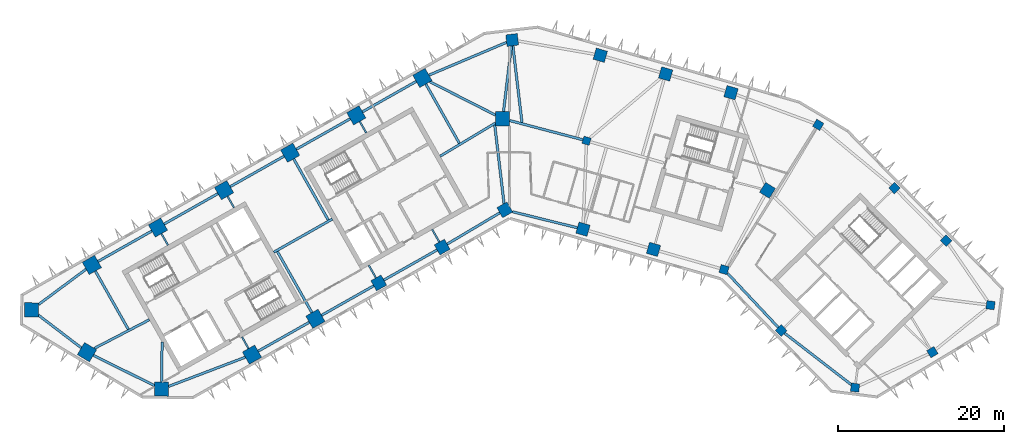
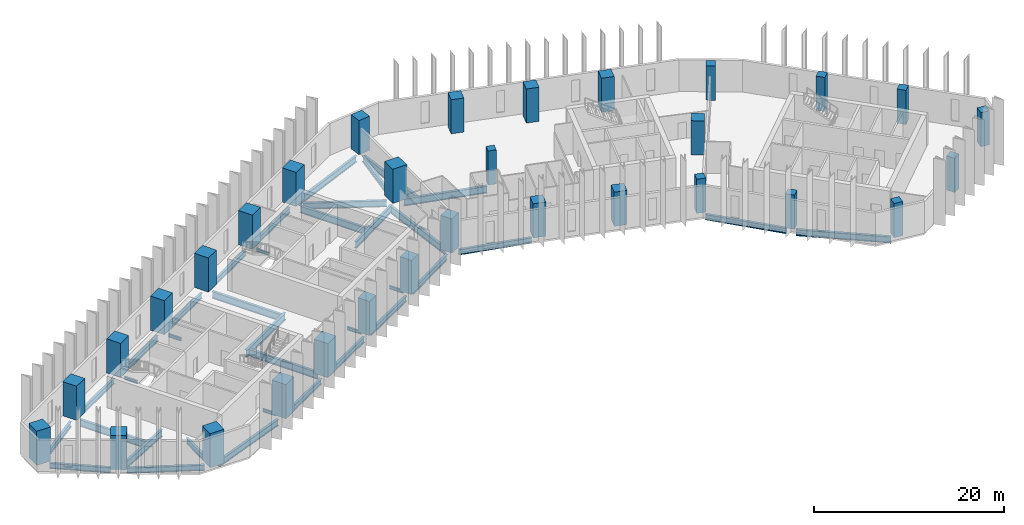
# One storey, part 1 of 11: 36 beams, 31 columns.
"""IFC4 building model written with IfcOpenShell, lengths in metres."""

import ifcopenshell
import ifcopenshell.guid

model = None  # the IFC model being written
_history = None  # IfcOwnerHistory: only IFC2X3 demands one
_inside = {}  # id of a spatial element -> (the spatial element, [elements in it])
_under = {}  # id of a project, library or spatial element -> (it, [spatial elements below it])
_declared = {}  # id of a project -> (the project, [libraries it declares])
_typed = {}  # id of a type object -> (the type object, [elements of that type])
_made_of = {}  # id of a material, layer set ... -> (it, [elements and type objects made of it])


def new_model(schema):
    """Start an empty IFC model of exactly this schema.

    Asked for "IFC4X3", IfcOpenShell would pick the latest addendum, in which some entities
    have other attributes; the version numbers below select the first issue.
    IFC2X3 requires an IfcOwnerHistory on every rooted entity: one is made here for all.
    """
    global model, _history
    if schema == "IFC4X3":
        model = ifcopenshell.file(schema_version=(4, 3, 0, 0))
    else:
        model = ifcopenshell.file(schema=schema)
    _inside.clear()
    _under.clear()
    _declared.clear()
    _typed.clear()
    _made_of.clear()
    _history = None
    if model.schema == "IFC2X3":
        org = make("IfcOrganization", Name="unknown")
        user = make(
            "IfcPersonAndOrganization",
            ThePerson=make("IfcPerson", FamilyName="unknown"),
            TheOrganization=org,
        )
        app = make(
            "IfcApplication",
            ApplicationDeveloper=org,
            Version="unknown",
            ApplicationFullName="unknown",
            ApplicationIdentifier="unknown",
        )
        _history = make(
            "IfcOwnerHistory",
            OwningUser=user,
            OwningApplication=app,
            ChangeAction="ADDED",
            CreationDate=0,
        )
    return model


def make(cls, **values):
    """One entity of the class cls with the attributes given. An attribute that is None is left unset."""
    return model.create_entity(
        cls, **{name: value for name, value in values.items() if value is not None}
    )


def rooted(cls, **values):
    """An entity with a GlobalId (a new one), such as an element, a storey or a relation."""
    return make(cls, GlobalId=ifcopenshell.guid.new(), OwnerHistory=_history, **values)


def si_unit(unit_type, name, prefix=None):
    """IfcSIUnit, for example si_unit("LENGTHUNIT", "METRE", prefix="MILLI")."""
    return make("IfcSIUnit", UnitType=unit_type, Prefix=prefix, Name=name)


def assignment(units):
    """IfcUnitAssignment: the units of a project."""
    return None if units is None else make("IfcUnitAssignment", Units=units)


def point(xyz):
    """IfcCartesianPoint."""
    return None if xyz is None else make("IfcCartesianPoint", Coordinates=xyz)


def direction(xyz):
    """IfcDirection."""
    return None if xyz is None else make("IfcDirection", DirectionRatios=xyz)


def frame(location, z_axis=None, x_axis=None):
    """IfcAxis2Placement3D, a coordinate frame: its origin and axes. An axis left out is left unset."""
    return make(
        "IfcAxis2Placement3D",
        Location=point(location),
        Axis=direction(z_axis),
        RefDirection=direction(x_axis),
    )


def frame_2d(location, x_axis=None):
    """IfcAxis2Placement2D, a coordinate frame in the plane: its origin and x axis."""
    return make(
        "IfcAxis2Placement2D", Location=point(location), RefDirection=direction(x_axis)
    )


def origin():
    """The frame at (0, 0, 0) with its axes left unset."""
    return frame((0.0, 0.0, 0.0))


def origin_2d():
    """The frame at (0, 0) in the plane with its x axis left unset."""
    return frame_2d((0.0, 0.0))


def place(relative_to, where):
    """IfcLocalPlacement: puts the frame where relative to a parent placement (None: the world)."""
    return make(
        "IfcLocalPlacement", PlacementRelTo=relative_to, RelativePlacement=where
    )


def context(
    kind, dimensions, precision=None, world=None, true_north=None, identifier=None
):
    """IfcGeometricRepresentationContext, for example the 3D "Model" context."""
    return make(
        "IfcGeometricRepresentationContext",
        ContextIdentifier=identifier,
        ContextType=kind,
        CoordinateSpaceDimension=dimensions,
        Precision=precision,
        WorldCoordinateSystem=world,
        TrueNorth=true_north,
    )


def subcontext(parent, identifier, kind, view, scale=None):
    """IfcGeometricRepresentationSubContext, for example "Body" below "Model"."""
    return make(
        "IfcGeometricRepresentationSubContext",
        ContextIdentifier=identifier,
        ContextType=kind,
        ParentContext=parent,
        TargetScale=scale,
        TargetView=view,
    )


def project(units=None, contexts=None):
    """IfcProject with its units and contexts."""
    return rooted(
        "IfcProject",
        Name="project",
        RepresentationContexts=contexts,
        UnitsInContext=assignment(units),
    )


def spatial(cls, under=None, at=None, **own):
    """A site, building, storey or space (cls), placed at a placement, below another one or the project."""
    s = rooted(cls, ObjectPlacement=at, **own)
    if under is not None:
        _under.setdefault(under.id(), (under, []))[1].append(s)
    return s


def profile(cls, at=None, kind="AREA", **sizes):
    """A parametric profile (cls). Its sizes go by their IFC names, for example OverallWidth=200.0."""
    return make(cls, ProfileType=kind, Position=at, **sizes)


def rectangle(**sizes):
    """IfcRectangleProfileDef."""
    return profile("IfcRectangleProfileDef", **sizes)


def i_section(**sizes):
    """IfcIShapeProfileDef."""
    return profile("IfcIShapeProfileDef", **sizes)


def extrude(swept, where, along, depth):
    """IfcExtrudedAreaSolid: the profile swept, set in the frame where, extruded along a direction by depth."""
    return make(
        "IfcExtrudedAreaSolid",
        SweptArea=swept,
        Position=where,
        ExtrudedDirection=direction(along),
        Depth=depth,
    )


def shape(context_of_items, identifier, shape_type, items):
    """IfcShapeRepresentation: the items that make up one representation, for example the "Body"."""
    return make(
        "IfcShapeRepresentation",
        ContextOfItems=context_of_items,
        RepresentationIdentifier=identifier,
        RepresentationType=shape_type,
        Items=items,
    )


def material(Name=None, Category=None):
    """IfcMaterial."""
    return make("IfcMaterial", Name=Name, Category=Category)


def material_profile(
    of_material, cross_section, Name=None, Category=None, Priority=None
):
    """IfcMaterialProfile: a cross section and its material."""
    return make(
        "IfcMaterialProfile",
        Name=Name,
        Material=of_material,
        Profile=cross_section,
        Priority=Priority,
        Category=Category,
    )


def profile_set(profiles, Name=None, composite=None):
    """IfcMaterialProfileSet."""
    return make(
        "IfcMaterialProfileSet",
        Name=Name,
        MaterialProfiles=profiles,
        CompositeProfile=composite,
    )


def made_of(thing, what):
    """Note that an element or type object is made of a material, layer set ...; save() writes the relation."""
    if what is not None:
        _made_of.setdefault(what.id(), (what, []))[1].append(thing)
    return thing


def type_object(cls, material=None, **own):
    """A type object (cls), such as IfcWallType, which elements share."""
    return made_of(rooted(cls, **own), material)


def element(
    cls,
    number,
    at=None,
    inside=None,
    cuts=None,
    type_object=None,
    material=None,
    context=None,
    identifier="Body",
    shape_type=None,
    held_by="IfcProductDefinitionShape",
    body=None,
    shapes=None,
    **own,
):
    """One element of the class cls, such as IfcWall. Its Tag is "e" and its number.

    at: its placement. inside: the storey or other place that contains it. cuts: it is an
    opening in that element (IfcRelVoidsElement). A single representation is given by context,
    identifier, shape_type and body (its items); several are given by shapes. held_by: the class
    of the entity that holds the representations. save() writes the other relations.
    """
    e = rooted(cls, Tag="e%d" % number, ObjectPlacement=at, **own)
    if body is not None:
        shapes = [shape(context, identifier, shape_type, body)]
    if shapes is not None:
        e.Representation = make(held_by, Representations=shapes)
    if inside is not None:
        _inside.setdefault(inside.id(), (inside, []))[1].append(e)
    if cuts is not None:
        rooted(
            "IfcRelVoidsElement", RelatingBuildingElement=cuts, RelatedOpeningElement=e
        )
    if type_object is not None:
        _typed.setdefault(type_object.id(), (type_object, []))[1].append(e)
    return made_of(e, material)


def aggregate(whole, parts):
    """IfcRelAggregates: a whole, such as a stair, and the parts it consists of."""
    return rooted("IfcRelAggregates", RelatingObject=whole, RelatedObjects=parts)


def save(model, path):
    """Write the relations noted so far, then the file.

    IfcRelAggregates (storeys below a building ...), IfcRelContainedInSpatialStructure (elements
    in a storey), IfcRelDefinesByType, IfcRelAssociatesMaterial and IfcRelDeclares: one each for
    every whole, place, type object, material and project.
    """
    for whole, parts in _under.values():
        aggregate(whole, parts)
    for where, things in _inside.values():
        rooted(
            "IfcRelContainedInSpatialStructure",
            RelatedElements=things,
            RelatingStructure=where,
        )
    for kind, things in _typed.values():
        rooted("IfcRelDefinesByType", RelatedObjects=things, RelatingType=kind)
    for what, things in _made_of.values():
        rooted("IfcRelAssociatesMaterial", RelatedObjects=things, RelatingMaterial=what)
    for by, libraries in _declared.values():
        rooted("IfcRelDeclares", RelatingContext=by, RelatedDefinitions=libraries)
    model.write(path)


model = new_model("IFC4")

# Units and contexts
model_context = context("Model", 3, precision=1e-05, world=origin(), true_north=direction((0.0, 1.0)))
body_context = subcontext(model_context, "Body", "Model", "MODEL_VIEW")
ifc_project = project(units=[si_unit("LENGTHUNIT", "METRE"), si_unit("AREAUNIT", "SQUARE_METRE"), si_unit("VOLUMEUNIT", "CUBIC_METRE"), si_unit("PLANEANGLEUNIT", "RADIAN"), si_unit("MASSUNIT", "GRAM", prefix="KILO")], contexts=[model_context])

# Site, building, storey
site_placement = place(None, origin())
site = spatial("IfcSite", under=ifc_project, at=site_placement, CompositionType="ELEMENT")
building_placement = place(site_placement, origin())
building = spatial("IfcBuilding", under=site, at=building_placement, Name="Binnacle Exchange Tower", CompositionType="ELEMENT")
storey_placement = place(building_placement, frame((0.0, 0.0, 123.5)))
storey = spatial("IfcBuildingStorey", under=building, at=storey_placement, Name="L25", CompositionType="ELEMENT", Elevation=123.5)

# Columns
ifc_material_1 = material(Name="Concrete C60/75", Category="concrete")
ifc_material_profile_1 = material_profile(ifc_material_1, rectangle(XDim=0.89990234375, YDim=0.89990234375, at=origin_2d()), Name="Column 900x900 C60/75")
ifc_profile_set_1 = profile_set([ifc_material_profile_1], Name="Concrete C60/75")
column_type_1 = type_object("IfcColumnType", Name="Column 900x900 C60/75", PredefinedType="COLUMN", material=ifc_profile_set_1)
column_placement = place(storey_placement, frame((9.240966796875, 57.35009765625, 0.0), z_axis=(0.0, 0.0, 1.0), x_axis=(0.961261695938, -0.275637355817, 0.0)))
element("IfcColumn", 1, at=column_placement, inside=storey, type_object=column_type_1, Name="S:COL:C19:L25", PredefinedType="COLUMN", context=body_context, shape_type="SweptSolid", body=[
    extrude(rectangle(XDim=0.89990234375, YDim=0.89990234375, at=origin_2d()), origin(), (0.0, 0.0, 1.0), 4.39990234375),
])
ifc_material_2 = material(Name="Concrete C70/85", Category="concrete")
ifc_material_profile_2 = material_profile(ifc_material_2, rectangle(XDim=1.0, YDim=1.0, at=origin_2d()), Name="Mega column 1000x1000 C70/85")
ifc_profile_set_2 = profile_set([ifc_material_profile_2], Name="Concrete C70/85")
column_type_2 = type_object("IfcColumnType", Name="Mega column 1000x1000 C70/85", PredefinedType="COLUMN", material=ifc_profile_set_2)
for number, where, z_axis, x_axis, name in (
    (2, (37.0849609375, 59.262451171875, 0.0), (0.0, 0.0, 1.0), (-0.859406411501, 0.511293086077, 0.0), "S:COL:MC57:L25"),
    (3, (25.766845703125, 41.85986328125, 0.0), (0.0, 0.0, 1.0), (0.961261695938, -0.275637355817, 0.0), "S:COL:MC56:L25"),
    (4, (32.64111328125, 34.530029296875, 0.0), (0.0, 0.0, 1.0), (0.7009092643, -0.713250449154, 0.0), "S:COL:MC59:L25"),
    (5, (41.519775390625, 27.6748046875, 0.0), (0.0, 0.0, 1.0), (0.99200494968, -0.126198969136, 0.0), "S:COL:MC61:L25"),
    (6, (50.81201171875, 31.930908203125, 0.0), (0.0, 0.0, 1.0), (0.857167300702, 0.51503807491, 0.0), "S:COL:MC63:L25"),
    (7, (57.799072265625, 37.5810546875, 0.0), (0.0, 0.0, 1.0), (0.126198969136, 0.99200494968, 0.0), "S:COL:MC62:L25"),
    (8, (52.466796875, 45.33935546875, 0.0), (0.0, 0.0, 1.0), (-0.7009092643, 0.713250449154, 0.0), "S:COL:MC60:L25"),
    (9, (46.248291015625, 51.667236328125, 0.0), (0.0, 0.0, 1.0), (-0.7009092643, 0.713250449154, 0.0), "S:COL:MC58:L25"),
):
    element("IfcColumn", number, at=place(storey_placement, frame(where, z_axis=z_axis, x_axis=x_axis)), inside=storey, type_object=column_type_2, Name=name, PredefinedType="COLUMN", context=body_context, shape_type="SweptSolid", body=[
        extrude(rectangle(XDim=1.0, YDim=1.0, at=origin_2d()), origin(), (0.0, 0.0, 1.0), 4.39990234375),
    ])
ifc_material_profile_3 = material_profile(ifc_material_2, rectangle(XDim=1.39990234375, YDim=1.39990234375, at=origin_2d()), Name="Mega column 1400x1400 C70/85")
ifc_profile_set_3 = profile_set([ifc_material_profile_3], Name="Concrete C70/85")
column_type_3 = type_object("IfcColumnType", Name="Mega column 1400x1400 C70/85", PredefinedType="COLUMN", material=ifc_profile_set_3)
for number, where, z_axis, x_axis, name in (
    (10, (26.602783203125, 63.12353515625, 0.0), (0.0, 0.0, 1.0), (-0.961261695938, 0.275637355817, 0.0), "S:COL:MC52:L25"),
    (11, (18.746337890625, 65.376220703125, 0.0), (0.0, 0.0, 1.0), (-0.961261695938, 0.275637355817, 0.0), "S:COL:MC50:L25"),
    (12, (10.889892578125, 67.62890625, 0.0), (0.0, 0.0, 1.0), (-0.961261695938, 0.275637355817, 0.0), "S:COL:MC48:L25"),
    (13, (0.300048828125, 69.464111328125, 0.0), (0.0, 0.0, 1.0), (-0.993068456955, -0.117537397458, 0.0), "S:COL:MC47:L25"),
    (14, (-15.736328125, 40.257080078125, 0.0), (0.0, 0.0, 1.0), (0.87035569594, 0.492423560103, 0.0), "S:COL:MC24:L25"),
    (15, (-8.116943359375, 44.568115234375, 0.0), (0.0, 0.0, 1.0), (0.87035569594, 0.492423560103, 0.0), "S:COL:MC35:L25"),
    (16, (-0.5908203125, 49.04443359375, 0.0), (0.0, 0.0, 1.0), (0.87035569594, 0.492423560103, 0.0), "S:COL:MC46:L25"),
    (17, (8.8095703125, 46.722412109375, 0.0), (0.0, 0.0, 1.0), (0.961261695938, -0.275637355817, 0.0), "S:COL:MC49:L25"),
    (18, (17.2880859375, 44.291015625, 0.0), (0.0, 0.0, 1.0), (0.961261695938, -0.275637355817, 0.0), "S:COL:MC51:L25"),
    (19, (30.989501953125, 51.38623046875, 0.0), (0.0, 0.0, 1.0), (0.529919264233, 0.848048096156, 0.0), "S:COL:MC55:L25"),
):
    element("IfcColumn", number, at=place(storey_placement, frame(where, z_axis=z_axis, x_axis=x_axis)), inside=storey, type_object=column_type_3, Name=name, PredefinedType="COLUMN", context=body_context, shape_type="SweptSolid", body=[
        extrude(rectangle(XDim=1.39990234375, YDim=1.39990234375, at=origin_2d()), origin(), (0.0, 0.0, 1.0), 4.39990234375),
    ])
ifc_material_profile_4 = material_profile(ifc_material_2, rectangle(XDim=1.699951171875, YDim=1.699951171875, at=origin_2d()), Name="Mega column 1700x1700 C70/85")
ifc_profile_set_4 = profile_set([ifc_material_profile_4], Name="Concrete C70/85")
column_type_4 = type_object("IfcColumnType", Name="Mega column 1700x1700 C70/85", PredefinedType="COLUMN", material=ifc_profile_set_4)
for number, where, z_axis, x_axis, name in (
    (20, (-10.4951171875, 64.901611328125, 0.0), (0.0, 0.0, 1.0), (-0.87035569594, -0.492423560103, 0.0), "S:COL:MC38:L25"),
    (21, (-18.44140625, 60.406005859375, 0.0), (0.0, 0.0, 1.0), (-0.87035569594, -0.492423560103, 0.0), "S:COL:MC29:L25"),
    (22, (-26.3876953125, 55.91015625, 0.0), (0.0, 0.0, 1.0), (-0.87035569594, -0.492423560103, 0.0), "S:COL:MC21:L25"),
    (23, (-34.333740234375, 51.414306640625, 0.0), (0.0, 0.0, 1.0), (-0.87035569594, -0.492423560103, 0.0), "S:COL:MC13:L25"),
    (24, (-42.280029296875, 46.918701171875, 0.0), (0.0, 0.0, 1.0), (-0.87035569594, -0.492423560103, 0.0), "S:COL:MC08:L25"),
    (25, (-50.226318359375, 42.4228515625, 0.0), (0.0, 0.0, 1.0), (-0.87035569594, -0.492423560103, 0.0), "S:COL:MC04:L25"),
    (26, (-57.492919921875, 37.02734375, 0.0), (0.0, 0.0, 1.0), (-0.013089595571, -0.999914327574, 0.0), "S:COL:MC02:L25"),
    (27, (-50.81201171875, 31.930908203125, 0.0), (0.0, 0.0, 1.0), (0.857167300702, -0.51503807491, 0.0), "S:COL:MC01:L25"),
    (28, (-41.857666015625, 27.494873046875, 0.0), (0.0, 0.0, 1.0), (0.999914327574, -0.013089595571, 0.0), "S:COL:MC03:L25"),
    (29, (-30.9755859375, 31.63525390625, 0.0), (0.0, 0.0, 1.0), (0.87035569594, 0.492423560103, 0.0), "S:COL:MC07:L25"),
    (30, (-23.35595703125, 35.9462890625, 0.0), (0.0, 0.0, 1.0), (0.87035569594, 0.492423560103, 0.0), "S:COL:MC16:L25"),
    (31, (-0.85009765625, 60.0, 0.0), (0.0, 0.0, 1.0), (0.0, 1.0, 0.0), "S:COL:MC45:L25"),
):
    element("IfcColumn", number, at=place(storey_placement, frame(where, z_axis=z_axis, x_axis=x_axis)), inside=storey, type_object=column_type_4, Name=name, PredefinedType="COLUMN", context=body_context, shape_type="SweptSolid", body=[
        extrude(rectangle(XDim=1.699951171875, YDim=1.699951171875, at=origin_2d()), origin(), (0.0, 0.0, 1.0), 4.39990234375),
    ])

# Beams
ifc_material_3 = material(Name="Steel S355 (SHN355)", Category="steel")
ifc_material_profile_5 = material_profile(ifc_material_3, i_section(OverallWidth=0.300048828125, OverallDepth=0.699951171875, WebThickness=0.012939453125, FlangeThickness=0.02392578125, FilletRadius=0.028076171875, at=origin_2d()), Name="H 700x300x13x24")
ifc_profile_set_5 = profile_set([ifc_material_profile_5], Name="Steel S355 (SHN355)")
beam_type_1 = type_object("IfcBeamType", Name="Edge girder H 700x300x13x24 Steel S355 (SHN355)", PredefinedType="SPANDREL", material=ifc_profile_set_5)
beam_1_placement = place(storey_placement, frame((-56.6513671875, 36.38525390625, -0.669921875), z_axis=(0.795093040263, -0.606487474994, 0.0), x_axis=(0.606487474994, 0.795093040263, 0.0)))
element("IfcBeam", 32, at=beam_1_placement, inside=storey, type_object=beam_type_1, Name="S:BM:edge:L25:015", PredefinedType="SPANDREL", context=body_context, shape_type="SweptSolid", body=[
    extrude(i_section(OverallWidth=0.300048828125, OverallDepth=0.699951171875, WebThickness=0.012939453125, FlangeThickness=0.02392578125, FilletRadius=0.028076171875, at=origin_2d()), origin(), (0.0, 0.0, 1.0), 6.489013671875),
])
beam_2_placement = place(storey_placement, frame((-50.913818359375, 41.912353515625, -0.669921875), z_axis=(-0.80288535334, -0.59613346609, 0.0), x_axis=(0.59613346609, -0.80288535334, 0.0)))
element("IfcBeam", 33, at=beam_2_placement, inside=storey, type_object=beam_type_1, Name="S:BM:edge:L25:016", PredefinedType="SPANDREL", context=body_context, shape_type="SweptSolid", body=[
    extrude(i_section(OverallWidth=0.300048828125, OverallDepth=0.699951171875, WebThickness=0.012939453125, FlangeThickness=0.02392578125, FilletRadius=0.028076171875, at=origin_2d()), origin(), (0.0, 0.0, 1.0), 7.125244140625),
])
beam_3_placement = place(storey_placement, frame((-43.019775390625, 46.5, -0.669921875), z_axis=(-0.870364477798, -0.492408037898, 0.0), x_axis=(0.492408037898, -0.870364477798, 0.0)))
element("IfcBeam", 34, at=beam_3_placement, inside=storey, type_object=beam_type_1, Name="S:BM:edge:L25:018", PredefinedType="SPANDREL", context=body_context, shape_type="SweptSolid", body=[
    extrude(i_section(OverallWidth=0.300048828125, OverallDepth=0.699951171875, WebThickness=0.012939453125, FlangeThickness=0.02392578125, FilletRadius=0.028076171875, at=origin_2d()), origin(), (0.0, 0.0, 1.0), 7.4296875),
])
beam_4_placement = place(storey_placement, frame((-35.073486328125, 50.995849609375, -0.669921875), z_axis=(-0.870372444894, -0.492393955253, 0.0), x_axis=(0.492393955253, -0.870372444894, 0.0)))
element("IfcBeam", 35, at=beam_4_placement, inside=storey, type_object=beam_type_1, Name="S:BM:edge:L25:020", PredefinedType="SPANDREL", context=body_context, shape_type="SweptSolid", body=[
    extrude(i_section(OverallWidth=0.300048828125, OverallDepth=0.699951171875, WebThickness=0.012939453125, FlangeThickness=0.02392578125, FilletRadius=0.028076171875, at=origin_2d()), origin(), (0.0, 0.0, 1.0), 7.429931640625),
])
beam_5_placement = place(storey_placement, frame((-30.23583984375, 32.053955078125, -0.669921875), z_axis=(0.870373276953, 0.492392484473, 0.0), x_axis=(-0.492392484473, 0.870373276953, 0.0)))
element("IfcBeam", 36, at=beam_5_placement, inside=storey, type_object=beam_type_1, Name="S:BM:edge:L25:021", PredefinedType="SPANDREL", context=body_context, shape_type="SweptSolid", body=[
    extrude(i_section(OverallWidth=0.300048828125, OverallDepth=0.699951171875, WebThickness=0.012939453125, FlangeThickness=0.02392578125, FilletRadius=0.028076171875, at=origin_2d()), origin(), (0.0, 0.0, 1.0), 7.0546875),
])
beam_6_placement = place(storey_placement, frame((-27.12744140625, 55.49169921875, -0.669921875), z_axis=(-0.870350394687, -0.492432929919, 0.0), x_axis=(0.492432929919, -0.870350394687, 0.0)))
element("IfcBeam", 37, at=beam_6_placement, inside=storey, type_object=beam_type_1, Name="S:BM:edge:L25:022", PredefinedType="SPANDREL", context=body_context, shape_type="SweptSolid", body=[
    extrude(i_section(OverallWidth=0.300048828125, OverallDepth=0.699951171875, WebThickness=0.012939453125, FlangeThickness=0.02392578125, FilletRadius=0.028076171875, at=origin_2d()), origin(), (0.0, 0.0, 1.0), 7.429931640625),
])
beam_7_placement = place(storey_placement, frame((-22.6162109375, 36.36474609375, -0.669921875), z_axis=(0.870345646157, 0.492441322612, 0.0), x_axis=(-0.492441322612, 0.870345646157, 0.0)))
element("IfcBeam", 38, at=beam_7_placement, inside=storey, type_object=beam_type_1, Name="S:BM:edge:L25:023", PredefinedType="SPANDREL", context=body_context, shape_type="SweptSolid", body=[
    extrude(i_section(OverallWidth=0.300048828125, OverallDepth=0.699951171875, WebThickness=0.012939453125, FlangeThickness=0.02392578125, FilletRadius=0.028076171875, at=origin_2d()), origin(), (0.0, 0.0, 1.0), 7.20458984375),
])
beam_8_placement = place(storey_placement, frame((-19.18115234375, 59.9873046875, -0.669921875), z_axis=(-0.870364477798, -0.492408037898, 0.0), x_axis=(0.492408037898, -0.870364477798, 0.0)))
element("IfcBeam", 39, at=beam_8_placement, inside=storey, type_object=beam_type_1, Name="S:BM:edge:L25:024", PredefinedType="SPANDREL", context=body_context, shape_type="SweptSolid", body=[
    extrude(i_section(OverallWidth=0.300048828125, OverallDepth=0.699951171875, WebThickness=0.012939453125, FlangeThickness=0.02392578125, FilletRadius=0.028076171875, at=origin_2d()), origin(), (0.0, 0.0, 1.0), 7.4296875),
])
beam_9_placement = place(storey_placement, frame((-15.127197265625, 40.601806640625, -0.669921875), z_axis=(0.870355645737, 0.492423648837, 0.0), x_axis=(-0.492423648837, 0.870355645737, 0.0)))
element("IfcBeam", 40, at=beam_9_placement, inside=storey, type_object=beam_type_1, Name="S:BM:edge:L25:025", PredefinedType="SPANDREL", context=body_context, shape_type="SweptSolid", body=[
    extrude(i_section(OverallWidth=0.300048828125, OverallDepth=0.699951171875, WebThickness=0.012939453125, FlangeThickness=0.02392578125, FilletRadius=0.028076171875, at=origin_2d()), origin(), (0.0, 0.0, 1.0), 7.3544921875),
])
beam_10_placement = place(storey_placement, frame((-11.23486328125, 64.483154296875, -0.669921875), z_axis=(-0.870364477798, -0.492408037898, 0.0), x_axis=(0.492408037898, -0.870364477798, 0.0)))
element("IfcBeam", 41, at=beam_10_placement, inside=storey, type_object=beam_type_1, Name="S:BM:edge:L25:026", PredefinedType="SPANDREL", context=body_context, shape_type="SweptSolid", body=[
    extrude(i_section(OverallWidth=0.300048828125, OverallDepth=0.699951171875, WebThickness=0.012939453125, FlangeThickness=0.02392578125, FilletRadius=0.028076171875, at=origin_2d()), origin(), (0.0, 0.0, 1.0), 7.4296875),
])
beam_11_placement = place(storey_placement, frame((-7.51513671875, 44.926025390625, -0.669921875), z_axis=(0.859466137143, 0.511192682952, 0.0), x_axis=(-0.511192682952, 0.859466137143, 0.0)))
element("IfcBeam", 42, at=beam_11_placement, inside=storey, type_object=beam_type_1, Name="S:BM:edge:L25:027", PredefinedType="SPANDREL", context=body_context, shape_type="SweptSolid", body=[
    extrude(i_section(OverallWidth=0.300048828125, OverallDepth=0.699951171875, WebThickness=0.012939453125, FlangeThickness=0.02392578125, FilletRadius=0.028076171875, at=origin_2d()), origin(), (0.0, 0.0, 1.0), 7.356201171875),
])
beam_12_placement = place(storey_placement, frame((0.343994140625, 48.8134765625, -0.669921875), z_axis=(0.970820959584, -0.239805472064, 0.0), x_axis=(0.239805472064, 0.970820959584, 0.0)))
element("IfcBeam", 43, at=beam_12_placement, inside=storey, type_object=beam_type_1, Name="S:BM:edge:L25:029", PredefinedType="SPANDREL", context=body_context, shape_type="SweptSolid", body=[
    extrude(i_section(OverallWidth=0.300048828125, OverallDepth=0.699951171875, WebThickness=0.012939453125, FlangeThickness=0.02392578125, FilletRadius=0.028076171875, at=origin_2d()), origin(), (0.0, 0.0, 1.0), 8.019287109375),
])
ifc_material_profile_6 = material_profile(ifc_material_3, i_section(OverallWidth=0.302001953125, OverallDepth=0.7080078125, WebThickness=0.014892578125, FlangeThickness=0.028076171875, FilletRadius=0.028076171875, at=origin_2d()), Name="H 708x302x15x28")
ifc_profile_set_6 = profile_set([ifc_material_profile_6], Name="Steel S355 (SHN355)")
beam_type_2 = type_object("IfcBeamType", Name="Edge girder H 708x302x15x28 Steel S355 (SHN355)", PredefinedType="SPANDREL", material=ifc_profile_set_6)
beam_13_placement = place(storey_placement, frame((-50.0478515625, 31.55224609375, -0.674072265625), z_axis=(0.896059216286, -0.443934545749, 0.0), x_axis=(0.443934545749, 0.896059216286, 0.0)))
element("IfcBeam", 44, at=beam_13_placement, inside=storey, type_object=beam_type_2, Name="S:BM:edge:L25:017", PredefinedType="SPANDREL", context=body_context, shape_type="SweptSolid", body=[
    extrude(i_section(OverallWidth=0.302001953125, OverallDepth=0.7080078125, WebThickness=0.014892578125, FlangeThickness=0.028076171875, FilletRadius=0.028076171875, at=origin_2d()), origin(), (0.0, 0.0, 1.0), 8.197509765625),
])
beam_14_placement = place(storey_placement, frame((26.165283203125, 41.43505859375, -0.674072265625), z_axis=(0.684076068391, -0.729410674898, 0.0), x_axis=(0.729410674898, 0.684076068391, 0.0)))
element("IfcBeam", 45, at=beam_14_placement, inside=storey, type_object=beam_type_2, Name="S:BM:edge:L25:035", PredefinedType="SPANDREL", context=body_context, shape_type="SweptSolid", body=[
    extrude(i_section(OverallWidth=0.302001953125, OverallDepth=0.7080078125, WebThickness=0.014892578125, FlangeThickness=0.028076171875, FilletRadius=0.028076171875, at=origin_2d()), origin(), (0.0, 0.0, 1.0), 8.966552734375),
])
ifc_material_profile_7 = material_profile(ifc_material_3, i_section(OverallWidth=0.302001953125, OverallDepth=0.80810546875, WebThickness=0.01611328125, FlangeThickness=0.030029296875, FilletRadius=0.028076171875, at=origin_2d()), Name="H 808x302x16x30")
ifc_profile_set_7 = profile_set([ifc_material_profile_7], Name="Steel S355 (SHN355)")
beam_type_3 = type_object("IfcBeamType", Name="Edge girder H 808x302x16x30 Steel S355 (SHN355)", PredefinedType="SPANDREL", material=ifc_profile_set_7)
beam_15_placement = place(storey_placement, frame((-41.00341796875, 27.81982421875, -0.72412109375), z_axis=(0.934628738252, 0.355624973297, 0.0), x_axis=(-0.355624973297, 0.934628738252, 0.0)))
element("IfcBeam", 46, at=beam_15_placement, inside=storey, type_object=beam_type_3, Name="S:BM:edge:L25:019", PredefinedType="SPANDREL", context=body_context, shape_type="SweptSolid", body=[
    extrude(i_section(OverallWidth=0.302001953125, OverallDepth=0.80810546875, WebThickness=0.01611328125, FlangeThickness=0.030029296875, FilletRadius=0.028076171875, at=origin_2d()), origin(), (0.0, 0.0, 1.0), 9.869384765625),
])
beam_16_placement = place(storey_placement, frame((-0.37109375, 69.180419921875, -0.72412109375), z_axis=(-0.921114465748, -0.389291845523, 0.0), x_axis=(0.389291845523, -0.921114465748, 0.0)))
element("IfcBeam", 47, at=beam_16_placement, inside=storey, type_object=beam_type_3, Name="S:BM:edge:L25:028", PredefinedType="SPANDREL", context=body_context, shape_type="SweptSolid", body=[
    extrude(i_section(OverallWidth=0.302001953125, OverallDepth=0.80810546875, WebThickness=0.01611328125, FlangeThickness=0.030029296875, FilletRadius=0.028076171875, at=origin_2d()), origin(), (0.0, 0.0, 1.0), 10.13525390625),
])
beam_17_placement = place(storey_placement, frame((33.040771484375, 34.2216796875, -0.72412109375), z_axis=(0.791519159984, -0.611144352324, 0.0), x_axis=(0.611144352324, 0.791519159984, 0.0)))
element("IfcBeam", 48, at=beam_17_placement, inside=storey, type_object=beam_type_3, Name="S:BM:edge:L25:036", PredefinedType="SPANDREL", context=body_context, shape_type="SweptSolid", body=[
    extrude(i_section(OverallWidth=0.302001953125, OverallDepth=0.80810546875, WebThickness=0.01611328125, FlangeThickness=0.030029296875, FilletRadius=0.028076171875, at=origin_2d()), origin(), (0.0, 0.0, 1.0), 10.13232421875),
])
ifc_material_profile_8 = material_profile(ifc_material_3, i_section(OverallWidth=0.199951171875, OverallDepth=0.39990234375, WebThickness=0.008056640625, FlangeThickness=0.012939453125, FilletRadius=0.01611328125, at=origin_2d()), Name="H 400x200x8x13")
ifc_profile_set_8 = profile_set([ifc_material_profile_8], Name="Steel S355 (SHN355)")
beam_type_4 = type_object("IfcBeamType", Name="Floor beam H 400x200x8x13 Steel S355 (SHN355)", PredefinedType="BEAM", material=ifc_profile_set_8)
beam_18_placement = place(storey_placement, frame((-41.861328125, 46.178955078125, -0.52001953125), z_axis=(0.492366981934, -0.870387703901, 0.0), x_axis=(0.870387703901, 0.492366981934, 0.0)))
element("IfcBeam", 49, at=beam_18_placement, inside=storey, type_object=beam_type_4, Name="S:BM:cross:L25:044", PredefinedType="BEAM", context=body_context, shape_type="SweptSolid", body=[
    extrude(i_section(OverallWidth=0.199951171875, OverallDepth=0.39990234375, WebThickness=0.008056640625, FlangeThickness=0.012939453125, FilletRadius=0.01611328125, at=origin_2d()), origin(), (0.0, 0.0, 1.0), 1.584228515625),
])
beam_19_placement = place(storey_placement, frame((-33.915283203125, 50.674560546875, -0.52001953125), z_axis=(0.492483715062, -0.870321659158, 0.0), x_axis=(0.870321659158, 0.492483715062, 0.0)))
element("IfcBeam", 50, at=beam_19_placement, inside=storey, type_object=beam_type_4, Name="S:BM:cross:L25:046", PredefinedType="BEAM", context=body_context, shape_type="SweptSolid", body=[
    extrude(i_section(OverallWidth=0.199951171875, OverallDepth=0.39990234375, WebThickness=0.008056640625, FlangeThickness=0.012939453125, FilletRadius=0.01611328125, at=origin_2d()), origin(), (0.0, 0.0, 1.0), 1.58447265625),
])
for number, where, z_axis, x_axis, name in (
    (51, (-31.394287109375, 32.375, -0.52001953125), (-0.492366981934, 0.870387703901, 0.0), (-0.870387703901, -0.492366981934, 0.0), "S:BM:cross:L25:047"),
    (52, (-18.022705078125, 59.666259765625, -0.52001953125), (0.492366981934, -0.870387703901, 0.0), (0.870387703901, 0.492366981934, 0.0), "S:BM:cross:L25:050"),
):
    element("IfcBeam", number, at=place(storey_placement, frame(where, z_axis=z_axis, x_axis=x_axis)), inside=storey, type_object=beam_type_4, Name=name, PredefinedType="BEAM", context=body_context, shape_type="SweptSolid", body=[
        extrude(i_section(OverallWidth=0.199951171875, OverallDepth=0.39990234375, WebThickness=0.008056640625, FlangeThickness=0.012939453125, FilletRadius=0.01611328125, at=origin_2d()), origin(), (0.0, 0.0, 1.0), 1.584228515625),
    ])
for number, where, z_axis, x_axis, name in (
    (53, (-16.0810546875, 40.866455078125, -0.52001953125), (-0.492405102951, 0.870366138236, 0.0), (-0.870366138236, -0.492405102951, 0.0), "S:BM:cross:L25:051"),
    (54, (-8.461669921875, 45.17724609375, -0.52001953125), (-0.492405102951, 0.870366138236, 0.0), (-0.870366138236, -0.492405102951, 0.0), "S:BM:cross:L25:053"),
):
    element("IfcBeam", number, at=place(storey_placement, frame(where, z_axis=z_axis, x_axis=x_axis)), inside=storey, type_object=beam_type_4, Name=name, PredefinedType="BEAM", context=body_context, shape_type="SweptSolid", body=[
        extrude(i_section(OverallWidth=0.199951171875, OverallDepth=0.39990234375, WebThickness=0.008056640625, FlangeThickness=0.012939453125, FilletRadius=0.01611328125, at=origin_2d()), origin(), (0.0, 0.0, 1.0), 1.734375),
    ])
ifc_material_profile_9 = material_profile(ifc_material_3, i_section(OverallWidth=0.300048828125, OverallDepth=0.699951171875, WebThickness=0.012939453125, FlangeThickness=0.02392578125, FilletRadius=0.028076171875, at=origin_2d()), Name="H 700x300x13x24")
ifc_profile_set_9 = profile_set([ifc_material_profile_9], Name="Steel S355 (SHN355)")
beam_type_5 = type_object("IfcBeamType", Name="Floor beam H 700x300x13x24 Steel S355 (SHN355)", PredefinedType="BEAM", material=ifc_profile_set_9)
beam_20_placement = place(storey_placement, frame((-41.8466796875, 28.3447265625, -0.669921875), z_axis=(0.013120628196, 0.999913920853, 0.0), x_axis=(-0.999913920853, 0.013120628196, 0.0)))
element("IfcBeam", 55, at=beam_20_placement, inside=storey, type_object=beam_type_5, Name="S:BM:cross:L25:045", PredefinedType="BEAM", context=body_context, shape_type="SweptSolid", body=[
    extrude(i_section(OverallWidth=0.300048828125, OverallDepth=0.699951171875, WebThickness=0.012939453125, FlangeThickness=0.02392578125, FilletRadius=0.028076171875, at=origin_2d()), origin(), (0.0, 0.0, 1.0), 4.80078125),
])
ifc_material_profile_10 = material_profile(ifc_material_3, i_section(OverallWidth=0.300048828125, OverallDepth=0.89990234375, WebThickness=0.01611328125, FlangeThickness=0.028076171875, FilletRadius=0.028076171875, at=origin_2d()), Name="H 900x300x16x28")
ifc_profile_set_10 = profile_set([ifc_material_profile_10], Name="Steel S355 (SHN355)")
beam_type_6 = type_object("IfcBeamType", Name="Floor beam H 900x300x16x28 Steel S355 (SHN355)", PredefinedType="BEAM", material=ifc_profile_set_10)
beam_21_placement = place(storey_placement, frame((-49.8076171875, 41.68310546875, -0.77001953125), z_axis=(0.492423370769, -0.87035580306, 0.0), x_axis=(0.87035580306, 0.492423370769, 0.0)))
element("IfcBeam", 56, at=beam_21_placement, inside=storey, type_object=beam_type_6, Name="S:BM:cross:L25:043", PredefinedType="BEAM", context=body_context, shape_type="SweptSolid", body=[
    extrude(i_section(OverallWidth=0.300048828125, OverallDepth=0.89990234375, WebThickness=0.01611328125, FlangeThickness=0.028076171875, FilletRadius=0.028076171875, at=origin_2d()), origin(), (0.0, 0.0, 1.0), 8.041259765625),
])
beam_22_placement = place(storey_placement, frame((-10.076416015625, 64.161865234375, -0.77001953125), z_axis=(0.492410737926, -0.870362950254, 0.0), x_axis=(0.870362950254, 0.492410737926, 0.0)))
element("IfcBeam", 57, at=beam_22_placement, inside=storey, type_object=beam_type_6, Name="S:BM:cross:L25:052", PredefinedType="BEAM", context=body_context, shape_type="SweptSolid", body=[
    extrude(i_section(OverallWidth=0.300048828125, OverallDepth=0.89990234375, WebThickness=0.01611328125, FlangeThickness=0.028076171875, FilletRadius=0.028076171875, at=origin_2d()), origin(), (0.0, 0.0, 1.0), 8.16943359375),
])
ifc_material_profile_11 = material_profile(ifc_material_3, i_section(OverallWidth=0.302001953125, OverallDepth=0.912109375, WebThickness=0.01806640625, FlangeThickness=0.033935546875, FilletRadius=0.028076171875, at=origin_2d()), Name="H 912x302x18x34")
ifc_profile_set_11 = profile_set([ifc_material_profile_11], Name="Steel S355 (SHN355)")
beam_type_7 = type_object("IfcBeamType", Name="Floor beam H 912x302x18x34 Steel S355 (SHN355)", PredefinedType="BEAM", material=ifc_profile_set_11)
for number, where, z_axis, x_axis, name in (
    (58, (-25.968994140625, 55.17041015625, -0.77587890625), (0.492409177884, -0.870363832851, 0.0), (0.870363832851, 0.492409177884, 0.0), "S:BM:cross:L25:048"),
    (59, (-23.774658203125, 36.68603515625, -0.77587890625), (-0.492409177884, 0.870363832851, 0.0), (-0.870363832851, -0.492409177884, 0.0), "S:BM:cross:L25:049"),
):
    element("IfcBeam", number, at=place(storey_placement, frame(where, z_axis=z_axis, x_axis=x_axis)), inside=storey, type_object=beam_type_7, Name=name, PredefinedType="BEAM", context=body_context, shape_type="SweptSolid", body=[
        extrude(i_section(OverallWidth=0.302001953125, OverallDepth=0.912109375, WebThickness=0.01806640625, FlangeThickness=0.033935546875, FilletRadius=0.028076171875, at=origin_2d()), origin(), (0.0, 0.0, 1.0), 8.43408203125),
    ])
ifc_material_profile_12 = material_profile(ifc_material_3, i_section(OverallWidth=0.302978515625, OverallDepth=0.91796875, WebThickness=0.01904296875, FlangeThickness=0.037109375, FilletRadius=0.028076171875, at=origin_2d()), Name="H 918x303x19x37")
ifc_profile_set_12 = profile_set([ifc_material_profile_12], Name="Steel S355 (SHN355)")
beam_type_8 = type_object("IfcBeamType", Name="Floor beam H 918x303x19x37 Steel S355 (SHN355)", PredefinedType="BEAM", material=ifc_profile_set_12)
beam_23_placement = place(storey_placement, frame((-0.68017578125, 49.79833984375, -0.779052734375), z_axis=(-0.11752294526, 0.993070167379, 0.0), x_axis=(-0.993070167379, -0.11752294526, 0.0)))
element("IfcBeam", 60, at=beam_23_placement, inside=storey, type_object=beam_type_8, Name="S:BM:cross:L25:054", PredefinedType="BEAM", context=body_context, shape_type="SweptSolid", body=[
    extrude(i_section(OverallWidth=0.302978515625, OverallDepth=0.91796875, WebThickness=0.01904296875, FlangeThickness=0.037109375, FilletRadius=0.028076171875, at=origin_2d()), origin(), (0.0, 0.0, 1.0), 9.537353515625),
])
beam_24_placement = place(storey_placement, frame((0.38232421875, 68.76904296875, -0.779052734375), z_axis=(0.117557103339, -0.993066124412, 0.0), x_axis=(0.993066124412, 0.117557103339, 0.0)))
element("IfcBeam", 61, at=beam_24_placement, inside=storey, type_object=beam_type_8, Name="S:BM:cross:L25:055", PredefinedType="BEAM", context=body_context, shape_type="SweptSolid", body=[
    extrude(i_section(OverallWidth=0.302978515625, OverallDepth=0.91796875, WebThickness=0.01904296875, FlangeThickness=0.037109375, FilletRadius=0.028076171875, at=origin_2d()), origin(), (0.0, 0.0, 1.0), 9.2998046875),
])
ifc_material_profile_13 = material_profile(ifc_material_3, i_section(OverallWidth=0.302001953125, OverallDepth=0.7080078125, WebThickness=0.014892578125, FlangeThickness=0.028076171875, FilletRadius=0.028076171875, at=origin_2d()), Name="H 708x302x15x28")
ifc_profile_set_13 = profile_set([ifc_material_profile_13], Name="Steel S355 (SHN355)")
beam_type_9 = type_object("IfcBeamType", Name="Spine girder H 708x302x15x28 Steel S355 (SHN355)", PredefinedType="BEAM", material=ifc_profile_set_13)
beam_25_placement = place(storey_placement, frame((-0.74658203125, 60.85009765625, -0.674072265625), z_axis=(0.120612669289, 0.992699644408, 0.0), x_axis=(-0.992699644408, 0.120612669289, 0.0)))
element("IfcBeam", 62, at=beam_25_placement, inside=storey, type_object=beam_type_9, Name="S:BM:spine:L25:005", PredefinedType="BEAM", context=body_context, shape_type="SweptSolid", body=[
    extrude(i_section(OverallWidth=0.302001953125, OverallDepth=0.7080078125, WebThickness=0.014892578125, FlangeThickness=0.028076171875, FilletRadius=0.028076171875, at=origin_2d()), origin(), (0.0, 0.0, 1.0), 7.95703125),
])
ifc_material_profile_14 = material_profile(ifc_material_3, i_section(OverallWidth=0.302001953125, OverallDepth=0.80810546875, WebThickness=0.01611328125, FlangeThickness=0.030029296875, FilletRadius=0.028076171875, at=origin_2d()), Name="H 808x302x16x30")
ifc_profile_set_14 = profile_set([ifc_material_profile_14], Name="Steel S355 (SHN355)")
beam_type_10 = type_object("IfcBeamType", Name="Spine girder H 808x302x16x30 Steel S355 (SHN355)", PredefinedType="BEAM", material=ifc_profile_set_14)
beam_26_placement = place(storey_placement, frame((-1.699951171875, 60.431884765625, -0.72412109375), z_axis=(-0.891471296315, 0.45307717648, 0.0), x_axis=(-0.45307717648, -0.891471296315, 0.0)))
element("IfcBeam", 63, at=beam_26_placement, inside=storey, type_object=beam_type_10, Name="S:BM:spine:L25:004", PredefinedType="BEAM", context=body_context, shape_type="SweptSolid", body=[
    extrude(i_section(OverallWidth=0.302001953125, OverallDepth=0.80810546875, WebThickness=0.01611328125, FlangeThickness=0.030029296875, FilletRadius=0.028076171875, at=origin_2d()), origin(), (0.0, 0.0, 1.0), 8.845703125),
])
ifc_material_profile_15 = material_profile(ifc_material_3, i_section(OverallWidth=0.300048828125, OverallDepth=0.89990234375, WebThickness=0.01611328125, FlangeThickness=0.028076171875, FilletRadius=0.028076171875, at=origin_2d()), Name="H 900x300x16x28")
ifc_profile_set_15 = profile_set([ifc_material_profile_15], Name="Steel S355 (SHN355)")
beam_type_11 = type_object("IfcBeamType", Name="Spine girder H 900x300x16x28 Steel S355 (SHN355)", PredefinedType="BEAM", material=ifc_profile_set_15)
beam_27_placement = place(storey_placement, frame((-49.927734375, 32.391357421875, -0.77001953125), z_axis=(0.886979965344, 0.461807904954, 0.0), x_axis=(-0.461807904954, 0.886979965344, 0.0)))
element("IfcBeam", 64, at=beam_27_placement, inside=storey, type_object=beam_type_11, Name="S:BM:spine:L25:001", PredefinedType="BEAM", context=body_context, shape_type="SweptSolid", body=[
    extrude(i_section(OverallWidth=0.300048828125, OverallDepth=0.89990234375, WebThickness=0.01611328125, FlangeThickness=0.028076171875, FilletRadius=0.028076171875, at=origin_2d()), origin(), (0.0, 0.0, 1.0), 7.463623046875),
])
beam_28_placement = place(storey_placement, frame((-8.36328125, 55.489990234375, -0.77001953125), z_axis=(0.857393122678, 0.514662057261, 0.0), x_axis=(-0.514662057261, 0.857393122678, 0.0)))
element("IfcBeam", 65, at=beam_28_placement, inside=storey, type_object=beam_type_11, Name="S:BM:spine:L25:003", PredefinedType="BEAM", context=body_context, shape_type="SweptSolid", body=[
    extrude(i_section(OverallWidth=0.300048828125, OverallDepth=0.89990234375, WebThickness=0.01611328125, FlangeThickness=0.028076171875, FilletRadius=0.028076171875, at=origin_2d()), origin(), (0.0, 0.0, 1.0), 7.771728515625),
])
ifc_material_profile_16 = material_profile(ifc_material_3, i_section(OverallWidth=0.302001953125, OverallDepth=0.912109375, WebThickness=0.01806640625, FlangeThickness=0.033935546875, FilletRadius=0.028076171875, at=origin_2d()), Name="H 912x302x18x34")
ifc_profile_set_16 = profile_set([ifc_material_profile_16], Name="Steel S355 (SHN355)")
beam_type_12 = type_object("IfcBeamType", Name="Spine girder H 912x302x18x34 Steel S355 (SHN355)", PredefinedType="BEAM", material=ifc_profile_set_16)
beam_29_placement = place(storey_placement, frame((-28.365478515625, 43.951416015625, -0.77587890625), z_axis=(0.870350319004, 0.492433063684, 0.0), x_axis=(-0.492433063684, 0.870350319004, 0.0)))
element("IfcBeam", 66, at=beam_29_placement, inside=storey, type_object=beam_type_12, Name="S:BM:spine:L25:002", PredefinedType="BEAM", context=body_context, shape_type="SweptSolid", body=[
    extrude(i_section(OverallWidth=0.302001953125, OverallDepth=0.912109375, WebThickness=0.01806640625, FlangeThickness=0.033935546875, FilletRadius=0.028076171875, at=origin_2d()), origin(), (0.0, 0.0, 1.0), 8.0908203125),
])
ifc_material_profile_17 = material_profile(ifc_material_3, i_section(OverallWidth=0.302978515625, OverallDepth=0.91796875, WebThickness=0.01904296875, FlangeThickness=0.037109375, FilletRadius=0.028076171875, at=origin_2d()), Name="H 918x303x19x37")
ifc_profile_set_17 = profile_set([ifc_material_profile_17], Name="Steel S355 (SHN355)")
beam_type_13 = type_object("IfcBeamType", Name="Spine girder H 918x303x19x37 Steel S355 (SHN355)", PredefinedType="BEAM", material=ifc_profile_set_17)
beam_30_placement = place(storey_placement, frame((0.0, 59.77685546875, -0.779052734375), z_axis=(0.967208488002, -0.253983741089, 0.0), x_axis=(0.253983741089, 0.967208488002, 0.0)))
element("IfcBeam", 67, at=beam_30_placement, inside=storey, type_object=beam_type_13, Name="S:BM:spine:L25:006", PredefinedType="BEAM", context=body_context, shape_type="SweptSolid", body=[
    extrude(i_section(OverallWidth=0.302978515625, OverallDepth=0.91796875, WebThickness=0.01904296875, FlangeThickness=0.037109375, FilletRadius=0.028076171875, at=origin_2d()), origin(), (0.0, 0.0, 1.0), 9.10400390625),
])

save(model, "model.ifc")
